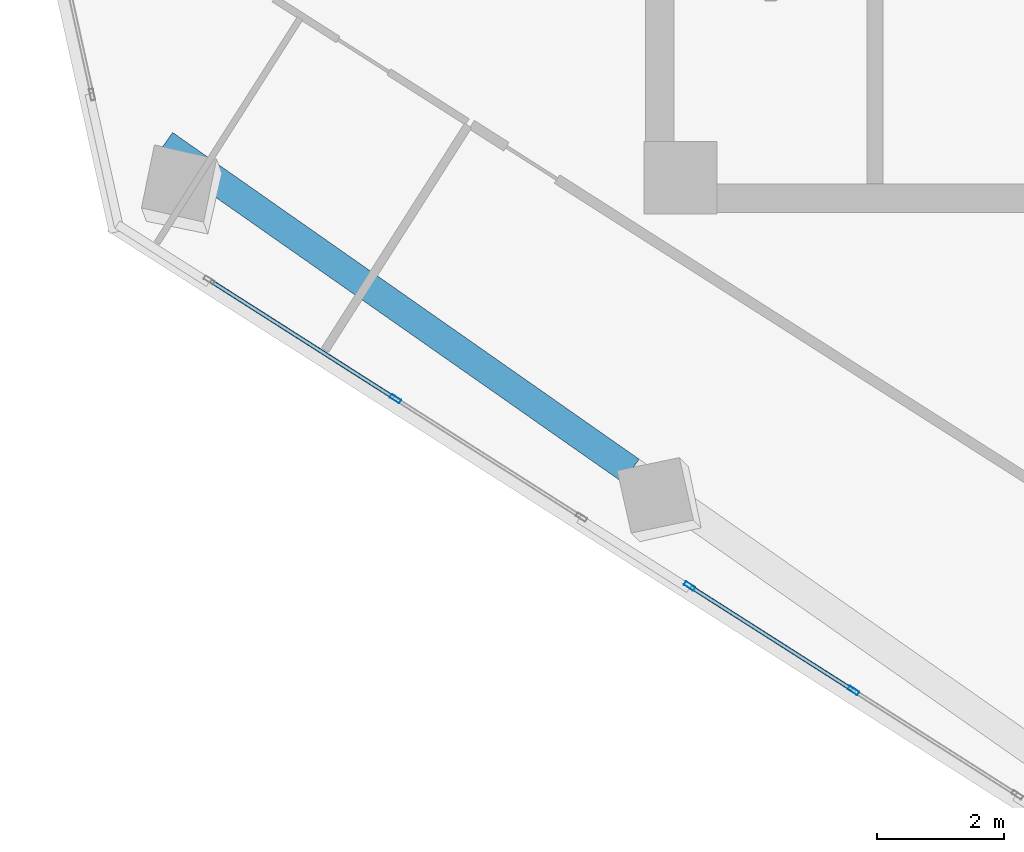
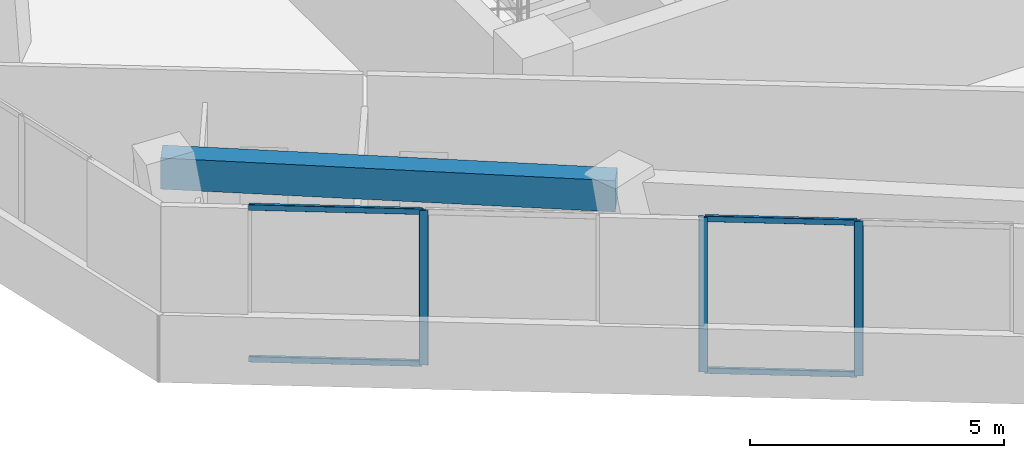
# One storey, part 2 of 24: 7 members, 1 beam, 2 elements without a shape of their own.
"""IFC4 building model written with IfcOpenShell, lengths in metres."""

from ifc_helpers import new_model, si_unit, direction, frame, origin, origin_2d, place, context, subcontext, project, spatial, rectangle, hollow_rectangle, extrude, source, transform, mapped, material, material_profile, profile_set, type_object, element, aggregate, save


model = new_model("IFC4")

# Units and contexts
model_context = context("Model", 3, precision=1e-05, world=origin(), true_north=direction((0.0, 1.0)))
body_context = subcontext(model_context, "Body", "Model", "MODEL_VIEW")
ifc_project = project(units=[si_unit("LENGTHUNIT", "METRE"), si_unit("AREAUNIT", "SQUARE_METRE"), si_unit("VOLUMEUNIT", "CUBIC_METRE"), si_unit("PLANEANGLEUNIT", "RADIAN"), si_unit("MASSUNIT", "GRAM", prefix="KILO")], contexts=[model_context])

# Site, building, storey
site_placement = place(None, origin())
site = spatial("IfcSite", under=ifc_project, at=site_placement, CompositionType="ELEMENT")
building_placement = place(site_placement, origin())
building = spatial("IfcBuilding", under=site, at=building_placement, Name="Torre Montelarca", CompositionType="ELEMENT")
storey_placement = place(building_placement, frame((0.0, 0.0, 191.800048828125)))
storey = spatial("IfcBuildingStorey", under=building, at=storey_placement, Name="L43", CompositionType="ELEMENT", Elevation=191.800048828125)

# Beam
ifc_material_1 = material(Name="Concrete C55/67", Category="concrete")
ifc_material_profile_1 = material_profile(ifc_material_1, rectangle(XDim=0.449951171875, YDim=0.75, at=origin_2d()), Name="RCB450X750", Category="concrete")
ifc_profile_set_1 = profile_set([ifc_material_profile_1], Name="Concrete C55/67")
beam_type = type_object("IfcBeamType", Name="BM-SP-RC750-EXT", PredefinedType="SPANDREL", material=ifc_profile_set_1)
shared_shape_1 = source(origin(), body_context, "Body", "SweptSolid", [
    extrude(rectangle(XDim=0.449951171875, YDim=0.75, at=origin_2d()), origin(), (0.0, 0.0, 1.0), 9.0),
])
beam_placement = place(storey_placement, frame((1.39501953125, 25.080322265625, 3.5849609375), z_axis=(0.819163097304, -0.573560650686, 0.0), x_axis=(0.573560650686, 0.819163097304, 0.0)))
element("IfcBeam", 1, at=beam_placement, inside=storey, type_object=beam_type, Name="L43 Grid Girder X 9.0-18.0 at Y=14.8", PredefinedType="SPANDREL", context=body_context, shape_type="MappedRepresentation", body=[
    mapped(shared_shape_1, transform((0.0, 0.0, 0.0), scale=1.0)),
])

# Curtain wall, member
ifc_material_2 = material(Name="Insulated low-E laminated glass", Category="glass")
curtain_wall_type = type_object("IfcCurtainWallType", Name="CW-SYS-Z2", PredefinedType="USERDEFINED", material=ifc_material_2)
curtain_wall_1_placement = place(storey_placement, origin())
curtain_wall_1 = element("IfcCurtainWall", 2, at=curtain_wall_1_placement, inside=storey, type_object=curtain_wall_type, Name="L43 Curtain Wall Run CW-T3-L43-E01-B1", ObjectType="UNITISED GLAZING", PredefinedType="USERDEFINED")
ifc_material_3 = material(Name="Anodised aluminium AA 6063-T6", Category="aluminium")
ifc_material_profile_2 = material_profile(ifc_material_3, hollow_rectangle(XDim=0.06494140625, YDim=0.179931640625, WallThickness=0.00390625, InnerFilletRadius=0.00390625, OuterFilletRadius=0.008056640625, at=origin_2d()), Name="ALU65X180X4", Category="aluminium")
ifc_profile_set_2 = profile_set([ifc_material_profile_2], Name="Anodised aluminium AA 6063-T6")
member_type_1 = type_object("IfcMemberType", Name="CWM-ALU180", PredefinedType="MULLION", material=ifc_profile_set_2)
shared_shape_2 = source(origin(), body_context, "Body", "SweptSolid", [
    extrude(hollow_rectangle(XDim=0.06494140625, YDim=0.179931640625, WallThickness=0.00390625, InnerFilletRadius=0.00390625, OuterFilletRadius=0.008056640625, at=origin_2d()), origin(), (0.0, 0.0, 1.0), 3.719970703125),
])
member_1_placement = place(storey_placement, frame((5.0439453125, 21.058349609375, 0.0), z_axis=(0.0, 0.0, 1.0), x_axis=(0.537305573022, 0.843387645866, 0.0)))
member_1 = element("IfcMember", 3, at=member_1_placement, type_object=member_type_1, Name="CW mullion 2", PredefinedType="MULLION", context=body_context, shape_type="MappedRepresentation", body=[
    mapped(shared_shape_2, transform((0.0, 0.0, 0.0), scale=1.0)),
])

# Curtain wall, members
curtain_wall_2_placement = place(storey_placement, origin())
curtain_wall_2 = element("IfcCurtainWall", 4, at=curtain_wall_2_placement, inside=storey, type_object=curtain_wall_type, Name="L43 Curtain Wall Run CW-T3-L43-E01-B2", ObjectType="UNITISED GLAZING", PredefinedType="USERDEFINED")
member_2_placement = place(storey_placement, frame((9.693115234375, 18.096435546875, 0.0), z_axis=(0.0, 0.0, 1.0), x_axis=(0.537306830159, 0.843386844968, 0.0)))
member_2 = element("IfcMember", 5, at=member_2_placement, type_object=member_type_1, Name="CW mullion 1", PredefinedType="MULLION", context=body_context, shape_type="MappedRepresentation", body=[
    mapped(shared_shape_2, transform((0.0, 0.0, 0.0), scale=1.0)),
])
member_3_placement = place(storey_placement, frame((12.2841796875, 16.44580078125, 0.0), z_axis=(0.0, 0.0, 1.0), x_axis=(0.537306830159, 0.843386844968, 0.0)))
member_3 = element("IfcMember", 6, at=member_3_placement, type_object=member_type_1, Name="CW mullion 2", PredefinedType="MULLION", context=body_context, shape_type="MappedRepresentation", body=[
    mapped(shared_shape_2, transform((0.0, 0.0, 0.0), scale=1.0)),
])

# Member
ifc_material_profile_3 = material_profile(ifc_material_3, hollow_rectangle(XDim=0.06494140625, YDim=0.139892578125, WallThickness=0.00390625, InnerFilletRadius=0.00390625, OuterFilletRadius=0.008056640625, at=origin_2d()), Name="ALU65X140X4", Category="aluminium")
ifc_profile_set_3 = profile_set([ifc_material_profile_3], Name="Anodised aluminium AA 6063-T6")
member_type_2 = type_object("IfcMemberType", Name="CWT-ALU140", PredefinedType="USERDEFINED", material=ifc_profile_set_3)
shared_shape_3 = source(origin(), body_context, "Body", "SweptSolid", [
    extrude(hollow_rectangle(XDim=0.06494140625, YDim=0.139892578125, WallThickness=0.00390625, InnerFilletRadius=0.00390625, OuterFilletRadius=0.008056640625, at=origin_2d()), origin(), (0.0, 0.0, 1.0), 3.422607421875),
])
member_4_placement = place(storey_placement, frame((2.130126953125, 22.914794921875, 0.032470703125), z_axis=(0.84336176072, -0.537346201768, 0.0), x_axis=(0.537346201768, 0.84336176072, 0.0)))
member_4 = element("IfcMember", 7, at=member_4_placement, type_object=member_type_2, Name="CW transom 1.1", ObjectType="TRANSOM", PredefinedType="USERDEFINED", context=body_context, shape_type="MappedRepresentation", body=[
    mapped(shared_shape_3, transform((0.0, 0.0, 0.0), scale=1.0)),
])

member_5_placement = place(storey_placement, frame((2.130126953125, 22.914794921875, 3.6875), z_axis=(0.84336176072, -0.537346201768, 0.0), x_axis=(0.537346201768, 0.84336176072, 0.0)))
member_5 = element("IfcMember", 8, at=member_5_placement, type_object=member_type_2, Name="CW transom 1.2", ObjectType="TRANSOM", PredefinedType="USERDEFINED", context=body_context, shape_type="MappedRepresentation", body=[
    mapped(shared_shape_3, transform((0.0, 0.0, 0.0), scale=1.0)),
])

aggregate(curtain_wall_1, [member_1, member_4, member_5])

shared_shape_4 = source(origin(), body_context, "Body", "SweptSolid", [
    extrude(hollow_rectangle(XDim=0.06494140625, YDim=0.139892578125, WallThickness=0.00390625, InnerFilletRadius=0.00390625, OuterFilletRadius=0.008056640625, at=origin_2d()), origin(), (0.0, 0.0, 1.0), 3.00732421875),
])
member_6_placement = place(storey_placement, frame((9.720458984375, 18.078857421875, 0.032470703125), z_axis=(0.843410683388, -0.537269410209, 0.0), x_axis=(0.537269410209, 0.843410683388, 0.0)))
member_6 = element("IfcMember", 9, at=member_6_placement, type_object=member_type_2, Name="CW transom 1.1", ObjectType="TRANSOM", PredefinedType="USERDEFINED", context=body_context, shape_type="MappedRepresentation", body=[
    mapped(shared_shape_4, transform((0.0, 0.0, 0.0), scale=1.0)),
])

member_7_placement = place(storey_placement, frame((9.720458984375, 18.078857421875, 3.6875), z_axis=(0.843410683388, -0.537269410209, 0.0), x_axis=(0.537269410209, 0.843410683388, 0.0)))
member_7 = element("IfcMember", 10, at=member_7_placement, type_object=member_type_2, Name="CW transom 1.2", ObjectType="TRANSOM", PredefinedType="USERDEFINED", context=body_context, shape_type="MappedRepresentation", body=[
    mapped(shared_shape_4, transform((0.0, 0.0, 0.0), scale=1.0)),
])

aggregate(curtain_wall_2, [member_2, member_3, member_6, member_7])

save(model, "model.ifc")
